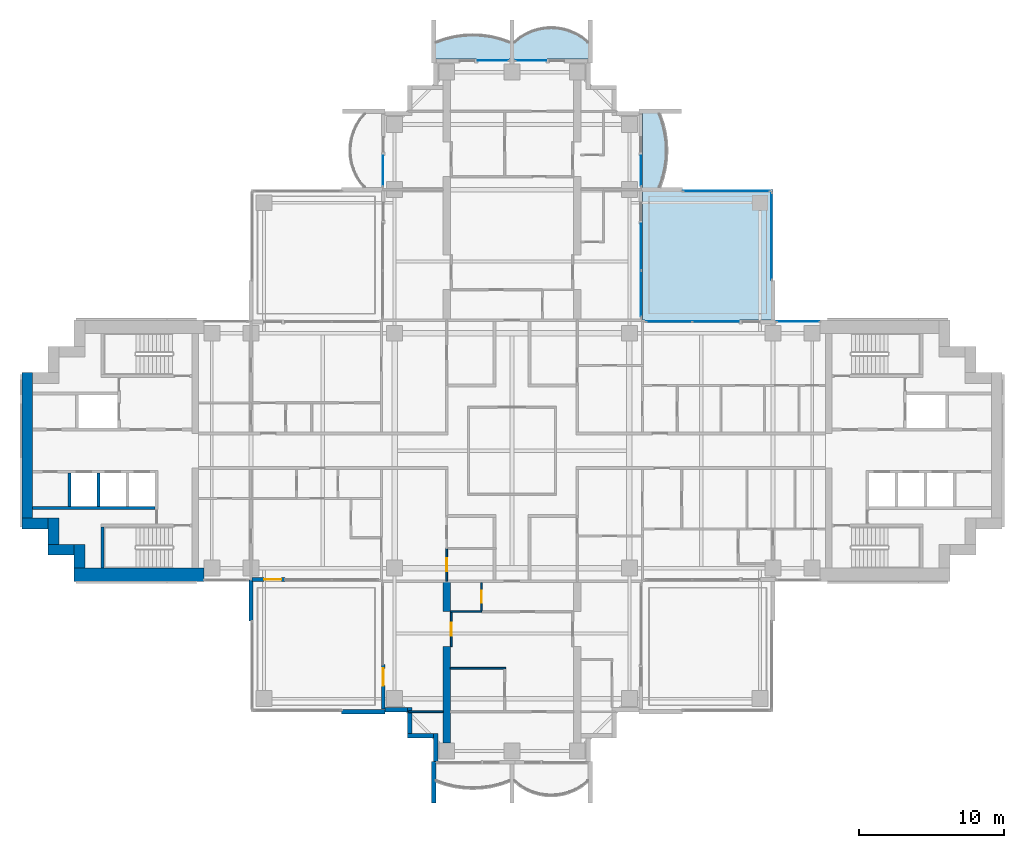
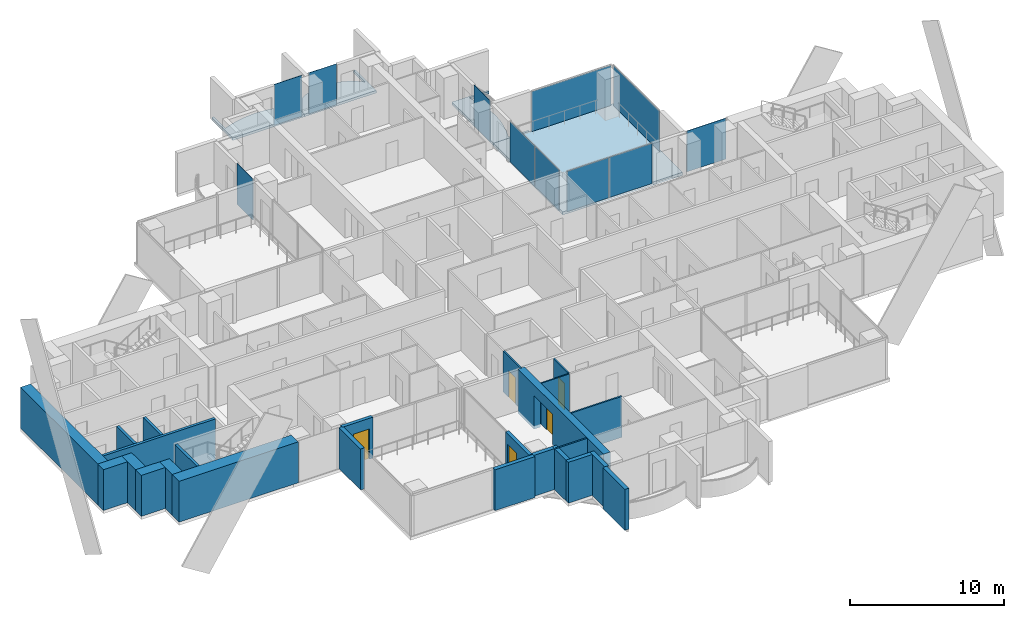
# One storey, part 8 of 19: 26 walls, 11 plates, 5 doors, 4 slabs, 5 openings, 9 elements without a shape of their own.
"""IFC4 building model written with IfcOpenShell, lengths in metres."""

from ifc_helpers import new_model, si_unit, direction, frame, frame_2d, origin, origin_2d, place, context, subcontext, project, spatial, polyline, rectangle, outline, extrude, material, layer, layer_set, material_profile, profile_set, type_object, element, fill, aggregate, save


model = new_model("IFC4")

# Units and contexts
model_context = context("Model", 3, precision=1e-05, world=origin(), true_north=direction((0.0, 1.0)))
body_context = subcontext(model_context, "Body", "Model", "MODEL_VIEW")
ifc_project = project(units=[si_unit("LENGTHUNIT", "METRE"), si_unit("AREAUNIT", "SQUARE_METRE"), si_unit("VOLUMEUNIT", "CUBIC_METRE"), si_unit("PLANEANGLEUNIT", "RADIAN"), si_unit("MASSUNIT", "GRAM", prefix="KILO")], contexts=[model_context])

# Site, building, storey
site_placement = place(None, origin())
site = spatial("IfcSite", under=ifc_project, at=site_placement, CompositionType="ELEMENT")
building_placement = place(site_placement, origin())
building = spatial("IfcBuilding", under=site, at=building_placement, Name="Perihelion Cross Residences", CompositionType="ELEMENT")
storey_placement = place(building_placement, frame((0.0, 0.0, 116.39990234375)))
storey = spatial("IfcBuildingStorey", under=building, at=storey_placement, Name="L27", CompositionType="ELEMENT", Elevation=116.39990234375)

# Slabs
ifc_material_1 = material(Name="Concrete C40/50", Category="concrete")
ifc_layer_1 = layer(ifc_material_1, 0.199951171875)
ifc_layer_set_1 = layer_set([ifc_layer_1], Name="Balcony slab 200")
slab_type_1 = type_object("IfcSlabType", Name="Balcony slab 200", PredefinedType="FLOOR", material=ifc_layer_set_1)
slab_1_placement = place(storey_placement, frame((0.0, 0.0, -0.199951171875)))
element("IfcSlab", 1, at=slab_1_placement, inside=storey, type_object=slab_type_1, Name="Slab BK1 L27 north side east bay 2 balcony", PredefinedType="FLOOR", context=body_context, shape_type="SweptSolid", body=[
    extrude(outline(polyline([(9.0, 18.0), (9.0, 23.39990234375), (11.699951171875, 23.39990234375), (11.699951171875, 23.25), (10.199951171875, 23.25), (10.423583984375, 22.612548828125), (10.57861328125, 21.97509765625), (10.669921875, 21.33740234375), (10.699951171875, 20.699951171875), (10.669921875, 20.0625), (10.57861328125, 19.425048828125), (10.423583984375, 18.78759765625), (10.199951171875, 18.14990234375), (11.699951171875, 18.14990234375), (11.699951171875, 18.0), (9.0, 18.0)])), origin(), (0.0, 0.0, 1.0), 0.199951171875),
])
slab_2_placement = place(storey_placement, frame((0.0, 0.0, -0.199951171875)))
element("IfcSlab", 2, at=slab_2_placement, inside=storey, type_object=slab_type_1, Name="Slab BK1 L27 north tip north bay 1 balcony", PredefinedType="FLOOR", context=body_context, shape_type="SweptSolid", body=[
    extrude(outline(polyline([(5.39990234375, 27.0), (0.0, 27.0), (0.0, 29.699951171875), (0.14990234375, 29.699951171875), (0.14990234375, 28.199951171875), (0.574951171875, 28.5400390625), (1.0, 28.792724609375), (1.425048828125, 28.9765625), (1.85009765625, 29.1025390625), (2.27490234375, 29.17578125), (2.699951171875, 29.199951171875), (3.125, 29.17578125), (3.550048828125, 29.1025390625), (3.97509765625, 28.9765625), (4.39990234375, 28.792724609375), (4.824951171875, 28.5400390625), (5.25, 28.199951171875), (5.25, 29.699951171875), (5.39990234375, 29.699951171875), (5.39990234375, 27.0)])), origin(), (0.0, 0.0, 1.0), 0.199951171875),
])
slab_3_placement = place(storey_placement, frame((0.0, 0.0, -0.199951171875)))
element("IfcSlab", 3, at=slab_3_placement, inside=storey, type_object=slab_type_1, Name="Slab BK1 L27 north tip north bay 2 balcony", PredefinedType="FLOOR", context=body_context, shape_type="SweptSolid", body=[
    extrude(outline(polyline([(0.0, 27.0), (-5.39990234375, 27.0), (-5.39990234375, 29.699951171875), (-5.25, 29.699951171875), (-5.25, 28.199951171875), (-4.612548828125, 28.423583984375), (-3.97509765625, 28.57861328125), (-3.33740234375, 28.669921875), (-2.699951171875, 28.699951171875), (-2.0625, 28.669921875), (-1.425048828125, 28.57861328125), (-0.78759765625, 28.423583984375), (-0.14990234375, 28.199951171875), (-0.14990234375, 29.699951171875), (0.0, 29.699951171875), (0.0, 27.0)])), origin(), (0.0, 0.0, 1.0), 0.199951171875),
])

# Curtain wall, plate
ifc_material_2 = material(Name="Bronze anodised aluminium, tinted glazing", Category="aluminium")
curtain_wall_type_1 = type_object("IfcCurtainWallType", Name="CW1", PredefinedType="NOTDEFINED", material=ifc_material_2)
curtain_wall_1_placement = place(storey_placement, origin())
curtain_wall_1 = element("IfcCurtainWall", 4, at=curtain_wall_1_placement, inside=storey, type_object=curtain_wall_type_1, Name="Curtain wall CW1 L27 east side north bay 1", PredefinedType="NOTDEFINED")
ifc_material_3 = material(Name="Tinted laminated glass", Category="glass")
ifc_layer_2 = layer(ifc_material_3, 0.028076171875)
ifc_layer_set_2 = layer_set([ifc_layer_2], Name="CW1 panel")
plate_type_1 = type_object("IfcPlateType", Name="CW1 panel", PredefinedType="CURTAIN_PANEL", material=ifc_layer_set_2)
plate_1_placement = place(storey_placement, frame((19.72509765625, 8.89990234375, 0.0), z_axis=(0.0, 0.0, 1.0), x_axis=(-1.0, 0.0, 0.0)))
plate_1 = element("IfcPlate", 5, at=plate_1_placement, type_object=plate_type_1, Name="CW1 panel 1", PredefinedType="CURTAIN_PANEL", context=body_context, shape_type="SweptSolid", body=[
    extrude(rectangle(XDim=2.929931640625, YDim=0.028076171875, at=origin_2d()), origin(), (0.0, 0.0, 1.0), 3.25),
])
aggregate(curtain_wall_1, [plate_1])

# Curtain wall, plates
curtain_wall_2_placement = place(storey_placement, origin())
curtain_wall_2 = element("IfcCurtainWall", 6, at=curtain_wall_2_placement, inside=storey, type_object=curtain_wall_type_1, Name="Curtain wall CW1 L27 east side north bay 2", PredefinedType="NOTDEFINED")
plate_2_placement = place(storey_placement, frame((14.052490234375, 8.89990234375, 0.000244140625), z_axis=(0.0, 0.0, 1.0), x_axis=(-1.0, 0.0, 0.0)))
plate_2 = element("IfcPlate", 7, at=plate_2_placement, type_object=plate_type_1, Name="CW1 panel 1", PredefinedType="CURTAIN_PANEL", context=body_context, shape_type="SweptSolid", body=[
    extrude(rectangle(XDim=3.195068359375, YDim=0.028076171875, at=origin_2d()), origin(), (0.0, 0.0, 1.0), 3.18994140625),
])
plate_3_placement = place(storey_placement, frame((10.827392578125, 8.89990234375, 0.000244140625), z_axis=(0.0, 0.0, 1.0), x_axis=(-1.0, 0.0, 0.0)))
plate_3 = element("IfcPlate", 8, at=plate_3_placement, type_object=plate_type_1, Name="CW1 panel 2", PredefinedType="CURTAIN_PANEL", context=body_context, shape_type="SweptSolid", body=[
    extrude(rectangle(XDim=3.135009765625, YDim=0.028076171875, at=origin_2d()), origin(), (0.0, 0.0, 1.0), 3.18994140625),
])
aggregate(curtain_wall_2, [plate_2, plate_3])

curtain_wall_3_placement = place(storey_placement, origin())
curtain_wall_3 = element("IfcCurtainWall", 9, at=curtain_wall_3_placement, inside=storey, type_object=curtain_wall_type_1, Name="Curtain wall CW1 L27 north side east bay 1", PredefinedType="NOTDEFINED")
plate_4_placement = place(storey_placement, frame((8.89990234375, 10.827392578125, 0.000244140625), z_axis=(0.0, 0.0, 1.0), x_axis=(0.0, 1.0, 0.0)))
plate_4 = element("IfcPlate", 10, at=plate_4_placement, type_object=plate_type_1, Name="CW1 panel 1", PredefinedType="CURTAIN_PANEL", context=body_context, shape_type="SweptSolid", body=[
    extrude(rectangle(XDim=3.135009765625, YDim=0.028076171875, at=origin_2d()), origin(), (0.0, 0.0, 1.0), 3.18994140625),
])
plate_5_placement = place(storey_placement, frame((8.89990234375, 14.052490234375, 0.000244140625), z_axis=(0.0, 0.0, 1.0), x_axis=(0.0, 1.0, 0.0)))
plate_5 = element("IfcPlate", 11, at=plate_5_placement, type_object=plate_type_1, Name="CW1 panel 2", PredefinedType="CURTAIN_PANEL", context=body_context, shape_type="SweptSolid", body=[
    extrude(rectangle(XDim=3.195068359375, YDim=0.028076171875, at=origin_2d()), origin(), (0.0, 0.0, 1.0), 3.18994140625),
])
aggregate(curtain_wall_3, [plate_4, plate_5])

# Curtain wall, plate
curtain_wall_4_placement = place(storey_placement, origin())
curtain_wall_4 = element("IfcCurtainWall", 12, at=curtain_wall_4_placement, inside=storey, type_object=curtain_wall_type_1, Name="Curtain wall CW1 L27 north side east bay 2", PredefinedType="NOTDEFINED")
plate_6_placement = place(storey_placement, frame((8.89990234375, 19.304931640625, 0.0), z_axis=(0.0, 0.0, 1.0), x_axis=(0.0, 1.0, 0.0)))
plate_6 = element("IfcPlate", 13, at=plate_6_placement, type_object=plate_type_1, Name="CW1 panel 1", PredefinedType="CURTAIN_PANEL", context=body_context, shape_type="SweptSolid", body=[
    extrude(rectangle(XDim=2.090087890625, YDim=0.028076171875, at=origin_2d()), origin(), (0.0, 0.0, 1.0), 3.25),
])
aggregate(curtain_wall_4, [plate_6])

curtain_wall_5_placement = place(storey_placement, origin())
curtain_wall_5 = element("IfcCurtainWall", 14, at=curtain_wall_5_placement, inside=storey, type_object=curtain_wall_type_1, Name="Curtain wall CW1 L27 north tip north bay 1", PredefinedType="NOTDEFINED")
plate_7_placement = place(storey_placement, frame((1.304931640625, 26.89990234375, 0.0), z_axis=(0.0, 0.0, 1.0), x_axis=(-1.0, 0.0, 0.0)))
plate_7 = element("IfcPlate", 15, at=plate_7_placement, type_object=plate_type_1, Name="CW1 panel 1", PredefinedType="CURTAIN_PANEL", context=body_context, shape_type="SweptSolid", body=[
    extrude(rectangle(XDim=2.090087890625, YDim=0.028076171875, at=origin_2d()), origin(), (0.0, 0.0, 1.0), 3.25),
])
aggregate(curtain_wall_5, [plate_7])

curtain_wall_6_placement = place(storey_placement, origin())
curtain_wall_6 = element("IfcCurtainWall", 16, at=curtain_wall_6_placement, inside=storey, type_object=curtain_wall_type_1, Name="Curtain wall CW1 L27 north tip north bay 2", PredefinedType="NOTDEFINED")
plate_8_placement = place(storey_placement, frame((-1.304931640625, 26.89990234375, 0.0), z_axis=(0.0, 0.0, 1.0), x_axis=(-1.0, 0.0, 0.0)))
plate_8 = element("IfcPlate", 17, at=plate_8_placement, type_object=plate_type_1, Name="CW1 panel 1", PredefinedType="CURTAIN_PANEL", context=body_context, shape_type="SweptSolid", body=[
    extrude(rectangle(XDim=2.090087890625, YDim=0.028076171875, at=origin_2d()), origin(), (0.0, 0.0, 1.0), 3.25),
])
aggregate(curtain_wall_6, [plate_8])

curtain_wall_7_placement = place(storey_placement, origin())
curtain_wall_7 = element("IfcCurtainWall", 18, at=curtain_wall_7_placement, inside=storey, type_object=curtain_wall_type_1, Name="Curtain wall CW1 L27 north side west bay 1", PredefinedType="NOTDEFINED")
plate_9_placement = place(storey_placement, frame((-8.89990234375, 19.304931640625, 0.0), z_axis=(0.0, 0.0, 1.0), x_axis=(0.0, -1.0, 0.0)))
plate_9 = element("IfcPlate", 19, at=plate_9_placement, type_object=plate_type_1, Name="CW1 panel 1", PredefinedType="CURTAIN_PANEL", context=body_context, shape_type="SweptSolid", body=[
    extrude(rectangle(XDim=2.090087890625, YDim=0.028076171875, at=origin_2d()), origin(), (0.0, 0.0, 1.0), 3.25),
])
aggregate(curtain_wall_7, [plate_9])

ifc_material_4 = material(Name="Bronze anodised aluminium, tinted glazing", Category="aluminium")
curtain_wall_type_2 = type_object("IfcCurtainWallType", Name="CW4", PredefinedType="NOTDEFINED", material=ifc_material_4)
curtain_wall_8_placement = place(storey_placement, origin())
curtain_wall_8 = element("IfcCurtainWall", 20, at=curtain_wall_8_placement, inside=storey, type_object=curtain_wall_type_2, Name="Curtain wall CW4 L27 pocket north-east 1 1", PredefinedType="NOTDEFINED")
ifc_material_5 = material(Name="Tinted laminated glass", Category="glass")
ifc_layer_3 = layer(ifc_material_5, 0.030029296875)
ifc_layer_set_3 = layer_set([ifc_layer_3], Name="CW4 panel")
plate_type_2 = type_object("IfcPlateType", Name="CW4 panel", PredefinedType="CURTAIN_PANEL", material=ifc_layer_set_3)
plate_10_placement = place(storey_placement, frame((14.784912109375, 17.89990234375, 0.000244140625), z_axis=(0.0, 0.0, 1.0), x_axis=(1.0, 0.0, 0.0)))
plate_10 = element("IfcPlate", 21, at=plate_10_placement, type_object=plate_type_2, Name="CW4 panel 1", PredefinedType="CURTAIN_PANEL", context=body_context, shape_type="SweptSolid", body=[
    extrude(rectangle(XDim=5.969970703125, YDim=0.030029296875, at=origin_2d()), origin(), (0.0, 0.0, 1.0), 3.18994140625),
])
aggregate(curtain_wall_8, [plate_10])

curtain_wall_9_placement = place(storey_placement, origin())
curtain_wall_9 = element("IfcCurtainWall", 22, at=curtain_wall_9_placement, inside=storey, type_object=curtain_wall_type_2, Name="Curtain wall CW4 L27 pocket north-east 1 2", PredefinedType="NOTDEFINED")
plate_11_placement = place(storey_placement, frame((17.89990234375, 14.784912109375, 0.000244140625), z_axis=(0.0, 0.0, 1.0), x_axis=(0.0, -1.0, 0.0)))
plate_11 = element("IfcPlate", 23, at=plate_11_placement, type_object=plate_type_2, Name="CW4 panel 1", PredefinedType="CURTAIN_PANEL", context=body_context, shape_type="SweptSolid", body=[
    extrude(rectangle(XDim=5.969970703125, YDim=0.030029296875, at=origin_2d()), origin(), (0.0, 0.0, 1.0), 3.18994140625),
])
aggregate(curtain_wall_9, [plate_11])

# Slab
ifc_material_6 = material(Name="Concrete C40/50", Category="concrete")
ifc_layer_4 = layer(ifc_material_6, 0.25)
ifc_layer_set_4 = layer_set([ifc_layer_4], Name="Winter garden slab")
slab_type_2 = type_object("IfcSlabType", Name="Winter garden slab", PredefinedType="FLOOR", material=ifc_layer_set_4)
slab_4_placement = place(storey_placement, frame((0.0, 0.0, -0.25)))
element("IfcSlab", 24, at=slab_4_placement, inside=storey, type_object=slab_type_2, Name="Slab BK3 L27 pocket north-east", PredefinedType="FLOOR", context=body_context, shape_type="SweptSolid", body=[
    extrude(outline(polyline([(18.0, 9.0), (18.0, 18.0), (9.0, 18.0), (9.0, 9.0), (18.0, 9.0)])), origin(), (0.0, 0.0, 1.0), 0.25),
])

# Wall, opening, door
ifc_material_7 = material(Name="Concrete C30/37, bronze-clad", Category="concrete")
ifc_layer_5 = layer(ifc_material_7, 0.25)
ifc_layer_set_5 = layer_set([ifc_layer_5], Name="Bronze-clad pier wall 250")
wall_type_1 = type_object("IfcWallType", Name="Bronze-clad pier wall 250", PredefinedType="SOLIDWALL", material=ifc_layer_set_5)
wall_1_placement = place(storey_placement, frame((-17.93994140625, -8.875, 0.0), z_axis=(0.0, 0.0, 1.0), x_axis=(1.0, 0.0, 0.0)))
wall_1 = element("IfcWall", 25, at=wall_1_placement, inside=storey, type_object=wall_type_1, Name="Wall FW1 L27 west side south bay 2 pier", PredefinedType="SOLIDWALL", context=body_context, shape_type="SweptSolid", body=[
    extrude(rectangle(XDim=2.2900390625, YDim=0.25, at=frame_2d((1.14501953125, 0.0))), origin(), (0.0, 0.0, 1.0), 3.25),
])
opening_1_placement = place(wall_1_placement, frame((0.840087890625, 0.0, 0.0)))
opening_1 = element("IfcOpeningElement", 26, at=opening_1_placement, cuts=wall_1, Name="Opening L27.E09", PredefinedType="OPENING", context=body_context, shape_type="SweptSolid", body=[
    extrude(rectangle(XDim=1.199951171875, YDim=2.39990234375, at=frame_2d((0.60009765625, 1.199951171875))), frame((0.0, 0.135009765625, 0.0), z_axis=(0.0, -1.0, 0.0), x_axis=(1.0, 0.0, 0.0)), (0.0, 0.0, 1.0), 0.27001953125),
])
ifc_material_8 = material(Name="Bronze anodised aluminium, glazed", Category="aluminium")
door_type_1 = type_object("IfcDoorType", Name="Balcony door 1200 x 2400", OperationType="NOTDEFINED", PredefinedType="DOOR", material=ifc_material_8)
door_1_placement = place(opening_1_placement, origin())
door_1 = element("IfcDoor", 27, at=door_1_placement, inside=storey, type_object=door_type_1, Name="Door L27.E09 west side south bay 2", OperationType="SINGLE_SWING_RIGHT", OverallHeight=2.39990234375, OverallWidth=1.199951171875, PredefinedType="DOOR", context=body_context, shape_type="SweptSolid", body=[
    extrude(rectangle(XDim=1.199951171875, YDim=2.39990234375, at=frame_2d((0.60009765625, 1.199951171875))), frame((0.0, 0.02490234375, 0.0), z_axis=(0.0, -1.0, 0.0), x_axis=(1.0, 0.0, 0.0)), (0.0, 0.0, 1.0), 0.050048828125),
])
fill(opening_1, door_1)

wall_2_placement = place(storey_placement, frame((-8.875, -14.75, 0.0), z_axis=(0.0, 0.0, 1.0), x_axis=(0.0, -1.0, 0.0)))
wall_2 = element("IfcWall", 28, at=wall_2_placement, inside=storey, type_object=wall_type_1, Name="Wall FW1 L27 south side west bay 1 pier", PredefinedType="SOLIDWALL", context=body_context, shape_type="SweptSolid", body=[
    extrude(rectangle(XDim=3.050048828125, YDim=0.25, at=frame_2d((1.52490234375, 0.0))), origin(), (0.0, 0.0, 1.0), 3.25),
])
opening_2_placement = place(wall_2_placement, frame((0.25, 0.0, 0.0)))
opening_2 = element("IfcOpeningElement", 29, at=opening_2_placement, cuts=wall_2, Name="Opening L27.E10", PredefinedType="OPENING", context=body_context, shape_type="SweptSolid", body=[
    extrude(rectangle(XDim=1.199951171875, YDim=2.39990234375, at=frame_2d((0.60009765625, 1.199951171875))), frame((0.0, 0.135009765625, 0.0), z_axis=(0.0, -1.0, 0.0), x_axis=(1.0, 0.0, 0.0)), (0.0, 0.0, 1.0), 0.27001953125),
])
door_2_placement = place(opening_2_placement, origin())
door_2 = element("IfcDoor", 30, at=door_2_placement, inside=storey, type_object=door_type_1, Name="Door L27.E10 south side west bay 1", OperationType="SINGLE_SWING_LEFT", OverallHeight=2.39990234375, OverallWidth=1.199951171875, PredefinedType="DOOR", context=body_context, shape_type="SweptSolid", body=[
    extrude(rectangle(XDim=1.199951171875, YDim=2.39990234375, at=frame_2d((0.60009765625, 1.199951171875))), frame((0.0, 0.02490234375, 0.0), z_axis=(0.0, -1.0, 0.0), x_axis=(1.0, 0.0, 0.0)), (0.0, 0.0, 1.0), 0.050048828125),
])
fill(opening_2, door_2)

# Walls
ifc_material_9 = material(Name="Concrete C30/37, bronze-clad", Category="concrete")
ifc_layer_6 = layer(ifc_material_9, 0.300048828125)
ifc_layer_set_6 = layer_set([ifc_layer_6], Name="Bronze-clad serration wall 300")
wall_type_2 = type_object("IfcWallType", Name="Bronze-clad serration wall 300", PredefinedType="SOLIDWALL", material=ifc_layer_set_6)
wall_3_placement = place(storey_placement, frame((-8.75, -17.85009765625, 0.0), z_axis=(0.0, 0.0, 1.0), x_axis=(1.0, 0.0, 0.0)))
element("IfcWall", 31, at=wall_3_placement, inside=storey, type_object=wall_type_2, Name="Wall SR1 L27 south corner south-west 1", PredefinedType="SOLIDWALL", context=body_context, shape_type="SweptSolid", body=[
    extrude(rectangle(XDim=1.550048828125, YDim=0.300048828125, at=frame_2d((0.77490234375, 0.0))), origin(), (0.0, 0.0, 1.0), 3.25),
])
for number, where, z_axis, x_axis, name in (
    (32, (-7.050048828125, -17.699951171875, 0.0), (0.0, 0.0, 1.0), (0.0, -1.0, 0.0), "Wall SR1 L27 south corner south-west 2"),
    (33, (-7.199951171875, -19.64990234375, 0.0), (0.0, 0.0, 1.0), (1.0, 0.0, 0.0), "Wall SR1 L27 south corner south-west 3"),
):
    element("IfcWall", number, at=place(storey_placement, frame(where, z_axis=z_axis, x_axis=x_axis)), inside=storey, type_object=wall_type_2, Name=name, PredefinedType="SOLIDWALL", context=body_context, shape_type="SweptSolid", body=[
        extrude(rectangle(XDim=1.800048828125, YDim=0.300048828125, at=frame_2d((0.89990234375, 0.0))), origin(), (0.0, 0.0, 1.0), 3.25),
    ])
wall_4_placement = place(storey_placement, frame((-5.25, -19.5, 0.0), z_axis=(0.0, 0.0, 1.0), x_axis=(0.0, -1.0, 0.0)))
element("IfcWall", 34, at=wall_4_placement, inside=storey, type_object=wall_type_2, Name="Wall SR1 L27 south corner south-west 4", PredefinedType="SOLIDWALL", context=body_context, shape_type="SweptSolid", body=[
    extrude(rectangle(XDim=1.919921875, YDim=0.300048828125, at=frame_2d((0.9599609375, 0.0))), origin(), (0.0, 0.0, 1.0), 3.25),
])
ifc_material_10 = material(Name="Concrete C60/75", Category="concrete")
ifc_layer_7 = layer(ifc_material_10, 0.75)
ifc_layer_set_7 = layer_set([ifc_layer_7], Name="Core wall, outer 750")
wall_type_3 = type_object("IfcWallType", Name="Core wall, outer 750", PredefinedType="SHEAR", material=ifc_layer_set_7)
wall_5_placement = place(storey_placement, frame((-29.824951171875, -8.10009765625, 0.0), z_axis=(0.0, 0.0, 1.0), x_axis=(0.0, 1.0, 0.0)))
element("IfcWall", 35, at=wall_5_placement, inside=storey, type_object=wall_type_3, Name="West core core wall, outer", PredefinedType="SHEAR", context=body_context, shape_type="SweptSolid", body=[
    extrude(rectangle(XDim=1.650146484375, YDim=0.75, at=frame_2d((0.8251953125, 0.0))), origin(), (0.0, 0.0, 1.0), 3.25),
])
for number, where, z_axis, x_axis, name in (
    (36, (-32.0, -6.824951171875, 0.0), (0.0, 0.0, 1.0), (1.0, 0.0, 0.0), "West core core wall, outer"),
    (37, (-31.625, -6.449951171875, 0.0), (0.0, 0.0, 1.0), (0.0, 1.0, 0.0), "West core core wall, outer"),
    (38, (-33.800048828125, -5.02490234375, 0.0), (0.0, 0.0, 1.0), (1.0, 0.0, 0.0), "West core core wall, outer"),
):
    element("IfcWall", number, at=place(storey_placement, frame(where, z_axis=z_axis, x_axis=x_axis)), inside=storey, type_object=wall_type_3, Name=name, PredefinedType="SHEAR", context=body_context, shape_type="SweptSolid", body=[
        extrude(rectangle(XDim=1.800048828125, YDim=0.75, at=frame_2d((0.89990234375, 0.0))), origin(), (0.0, 0.0, 1.0), 3.25),
    ])
wall_6_placement = place(storey_placement, frame((-33.425048828125, -4.64990234375, 0.0), z_axis=(0.0, 0.0, 1.0), x_axis=(0.0, 1.0, 0.0)))
element("IfcWall", 39, at=wall_6_placement, inside=storey, type_object=wall_type_3, Name="West core core wall, outer", PredefinedType="SHEAR", context=body_context, shape_type="SweptSolid", body=[
    extrude(rectangle(XDim=10.0498046875, YDim=0.75, at=frame_2d((5.02490234375, 0.0))), origin(), (0.0, 0.0, 1.0), 3.25),
])
ifc_material_11 = material(Name="Concrete C60/75", Category="concrete")
ifc_layer_8 = layer(ifc_material_11, 0.89990234375)
ifc_layer_set_8 = layer_set([ifc_layer_8], Name="Core wall, outer 900")
wall_type_4 = type_object("IfcWallType", Name="Core wall, outer 900", PredefinedType="SHEAR", material=ifc_layer_set_8)
wall_7_placement = place(storey_placement, frame((-30.199951171875, -8.550048828125, 0.0), z_axis=(0.0, 0.0, 1.0), x_axis=(1.0, 0.0, 0.0)))
element("IfcWall", 40, at=wall_7_placement, inside=storey, type_object=wall_type_4, Name="West core core wall, outer", PredefinedType="SHEAR", context=body_context, shape_type="SweptSolid", body=[
    extrude(rectangle(XDim=8.949951171875, YDim=0.89990234375, at=frame_2d((4.47509765625, 0.0))), origin(), (0.0, 0.0, 1.0), 3.25),
])

# Wall, opening, door
ifc_material_12 = material(Name="Plasterboard partition")
ifc_layer_9 = layer(ifc_material_12, 0.1201171875)
ifc_layer_set_9 = layer_set([ifc_layer_9], Name="Infill panel 120")
wall_type_5 = type_object("IfcWallType", Name="Infill panel 120", PredefinedType="PARTITIONING", material=ifc_layer_set_9)
wall_8_placement = place(storey_placement, frame((-4.18994140625, -11.10009765625, 0.0), z_axis=(0.0, 0.0, 1.0), x_axis=(0.0, -1.0, 0.0)))
wall_8 = element("IfcWall", 41, at=wall_8_placement, inside=storey, type_object=wall_type_5, Name="Partition L27 WI06", PredefinedType="PARTITIONING", context=body_context, shape_type="SweptSolid", body=[
    extrude(rectangle(XDim=2.39990234375, YDim=0.1201171875, at=frame_2d((1.199951171875, 0.0))), origin(), (0.0, 0.0, 1.0), 2.400146484375),
])
opening_3_placement = place(wall_8_placement, frame((0.75, 0.0, 0.0)))
opening_3 = element("IfcOpeningElement", 42, at=opening_3_placement, cuts=wall_8, Name="Opening L27.A58", PredefinedType="OPENING", context=body_context, shape_type="SweptSolid", body=[
    extrude(rectangle(XDim=0.89990234375, YDim=2.10009765625, at=frame_2d((0.449951171875, 1.050048828125))), frame((0.0, 0.070068359375, 0.0), z_axis=(0.0, -1.0, 0.0), x_axis=(1.0, 0.0, 0.0)), (0.0, 0.0, 1.0), 0.14013671875),
])
ifc_material_13 = material(Name="Timber door leaf", Category="wood")
door_type_2 = type_object("IfcDoorType", Name="Interior room door 900 x 2100", OperationType="SINGLE_SWING_LEFT", PredefinedType="DOOR", material=ifc_material_13)
door_3_placement = place(opening_3_placement, origin())
door_3 = element("IfcDoor", 43, at=door_3_placement, inside=storey, type_object=door_type_2, Name="Door L27.A58", OperationType="SINGLE_SWING_RIGHT", OverallHeight=2.10009765625, OverallWidth=0.89990234375, PredefinedType="DOOR", context=body_context, shape_type="SweptSolid", body=[
    extrude(rectangle(XDim=0.89990234375, YDim=2.10009765625, at=frame_2d((0.449951171875, 1.050048828125))), frame((0.0, 0.02490234375, 0.0), z_axis=(0.0, -1.0, 0.0), x_axis=(1.0, 0.0, 0.0)), (0.0, 0.0, 1.0), 0.050048828125),
])
fill(opening_3, door_3)

ifc_material_14 = material(Name="Plasterboard partition")
ifc_layer_10 = layer(ifc_material_14, 0.1201171875)
ifc_layer_set_10 = layer_set([ifc_layer_10], Name="Partition wall 120")
wall_type_6 = type_object("IfcWallType", Name="Partition wall 120", PredefinedType="PARTITIONING", material=ifc_layer_set_10)
wall_9_placement = place(storey_placement, frame((-4.5, -6.75, 0.0), z_axis=(0.0, 0.0, 1.0), x_axis=(0.0, -1.0, 0.0)))
wall_9 = element("IfcWall", 44, at=wall_9_placement, inside=storey, type_object=wall_type_6, Name="Partition L27 W064", PredefinedType="PARTITIONING", context=body_context, shape_type="SweptSolid", body=[
    extrude(rectangle(XDim=2.25, YDim=0.1201171875, at=frame_2d((1.125, 0.0))), origin(), (0.0, 0.0, 1.0), 3.25),
])
opening_4_placement = place(wall_9_placement, frame((0.675048828125, 0.0, 0.0)))
opening_4 = element("IfcOpeningElement", 45, at=opening_4_placement, cuts=wall_9, Name="Opening L27.A31", PredefinedType="OPENING", context=body_context, shape_type="SweptSolid", body=[
    extrude(rectangle(XDim=0.89990234375, YDim=2.10009765625, at=frame_2d((0.449951171875, 1.050048828125))), frame((0.0, 0.070068359375, 0.0), z_axis=(0.0, -1.0, 0.0), x_axis=(1.0, 0.0, 0.0)), (0.0, 0.0, 1.0), 0.14013671875),
])
door_4_placement = place(opening_4_placement, origin())
door_4 = element("IfcDoor", 46, at=door_4_placement, inside=storey, type_object=door_type_2, Name="Door L27.A31", OperationType="SINGLE_SWING_LEFT", OverallHeight=2.10009765625, OverallWidth=0.89990234375, PredefinedType="DOOR", context=body_context, shape_type="SweptSolid", body=[
    extrude(rectangle(XDim=0.89990234375, YDim=2.10009765625, at=frame_2d((0.449951171875, 1.050048828125))), frame((0.0, 0.02490234375, 0.0), z_axis=(0.0, -1.0, 0.0), x_axis=(1.0, 0.0, 0.0)), (0.0, 0.0, 1.0), 0.050048828125),
])
fill(opening_4, door_4)

# Walls
wall_10_placement = place(storey_placement, frame((-0.43994140625, -15.0, 0.0), z_axis=(0.0, 0.0, 1.0), x_axis=(-1.0, 0.0, 0.0)))
element("IfcWall", 47, at=wall_10_placement, inside=storey, type_object=wall_type_6, Name="Partition L27 W086", PredefinedType="PARTITIONING", context=body_context, shape_type="SweptSolid", body=[
    extrude(rectangle(XDim=3.81005859375, YDim=0.1201171875, at=frame_2d((1.905029296875, 0.0))), origin(), (0.0, 0.0, 1.0), 3.25),
])
wall_11_placement = place(storey_placement, frame((-4.75, -18.0, 0.0), z_axis=(0.0, 0.0, 1.0), x_axis=(-1.0, 0.0, 0.0)))
element("IfcWall", 48, at=wall_11_placement, inside=storey, type_object=wall_type_6, Name="Partition L27 W091", PredefinedType="PARTITIONING", context=body_context, shape_type="SweptSolid", body=[
    extrude(rectangle(XDim=2.3701171875, YDim=0.1201171875, at=frame_2d((1.18505859375, 0.0))), origin(), (0.0, 0.0, 1.0), 3.25),
])
ifc_material_15 = material(Name="Precast concrete C50/60", Category="concrete")
ifc_layer_11 = layer(ifc_material_15, 0.300048828125)
ifc_layer_set_11 = layer_set([ifc_layer_11], Name="Precast concrete C50/60 blade wall 300")
wall_type_7 = type_object("IfcWallType", Name="Precast concrete C50/60 blade wall 300", PredefinedType="SOLIDWALL", material=ifc_layer_set_11)
wall_12_placement = place(storey_placement, frame((-18.0, -8.919921875, 0.0), z_axis=(0.0, 0.0, 1.0), x_axis=(0.0, -1.0, 0.0)))
element("IfcWall", 49, at=wall_12_placement, inside=storey, type_object=wall_type_7, Name="Wall BL1 L27 no. 1", PredefinedType="SOLIDWALL", context=body_context, shape_type="SweptSolid", body=[
    extrude(rectangle(XDim=2.820068359375, YDim=0.300048828125, at=frame_2d((1.41015625, 0.0))), origin(), (0.0, 0.0, 1.0), 3.25),
])
wall_13_placement = place(storey_placement, frame((-8.75, -18.0, 0.0), z_axis=(0.0, 0.0, 1.0), x_axis=(-1.0, 0.0, 0.0)))
element("IfcWall", 50, at=wall_13_placement, inside=storey, type_object=wall_type_7, Name="Wall BL1 L27 no. 5", PredefinedType="SOLIDWALL", context=body_context, shape_type="SweptSolid", body=[
    extrude(rectangle(XDim=2.989990234375, YDim=0.300048828125, at=frame_2d((1.4951171875, 0.0))), origin(), (0.0, 0.0, 1.0), 3.25),
])
wall_14_placement = place(storey_placement, frame((-5.39990234375, -21.419921875, 0.0), z_axis=(0.0, 0.0, 1.0), x_axis=(0.0, -1.0, 0.0)))
element("IfcWall", 51, at=wall_14_placement, inside=storey, type_object=wall_type_7, Name="Wall BL1 L27 no. 3", PredefinedType="SOLIDWALL", context=body_context, shape_type="SweptSolid", body=[
    extrude(rectangle(XDim=2.880126953125, YDim=0.300048828125, at=frame_2d((1.43994140625, 0.0))), origin(), (0.0, 0.0, 1.0), 3.25),
])
ifc_material_16 = material(Name="Concrete C50/60", Category="concrete")
ifc_layer_12 = layer(ifc_material_16, 0.199951171875)
ifc_layer_set_12 = layer_set([ifc_layer_12], Name="Shaft wall 200")
wall_type_8 = type_object("IfcWallType", Name="Shaft wall 200", PredefinedType="SOLIDWALL", material=ifc_layer_set_12)
wall_15_placement = place(storey_placement, frame((-33.050048828125, -3.949951171875, 0.0), z_axis=(0.0, 0.0, 1.0), x_axis=(1.0, 0.0, 0.0)))
element("IfcWall", 52, at=wall_15_placement, inside=storey, type_object=wall_type_8, Name="West core shaft wall", PredefinedType="SOLIDWALL", context=body_context, shape_type="SweptSolid", body=[
    extrude(rectangle(XDim=8.449951171875, YDim=0.199951171875, at=frame_2d((4.22509765625, 0.0))), origin(), (0.0, 0.0, 1.0), 3.25),
])
for number, where, z_axis, x_axis, name in (
    (53, (-28.5, -3.85009765625, 0.0), (0.0, 0.0, 1.0), (0.0, 1.0, 0.0), "West core shaft wall"),
    (54, (-30.5, -3.85009765625, 0.0), (0.0, 0.0, 1.0), (0.0, 1.0, 0.0), "West core shaft wall"),
):
    element("IfcWall", number, at=place(storey_placement, frame(where, z_axis=z_axis, x_axis=x_axis)), inside=storey, type_object=wall_type_8, Name=name, PredefinedType="SOLIDWALL", context=body_context, shape_type="SweptSolid", body=[
        extrude(rectangle(XDim=2.300048828125, YDim=0.199951171875, at=frame_2d((1.14990234375, 0.0))), origin(), (0.0, 0.0, 1.0), 3.25),
    ])
ifc_material_17 = material(Name="Concrete C50/60", Category="concrete")
ifc_layer_13 = layer(ifc_material_17, 0.199951171875)
ifc_layer_set_13 = layer_set([ifc_layer_13], Name="Stair wall 200")
wall_type_9 = type_object("IfcWallType", Name="Stair wall 200", PredefinedType="SOLIDWALL", material=ifc_layer_set_13)
wall_16_placement = place(storey_placement, frame((-28.25, -8.10009765625, 0.0), z_axis=(0.0, 0.0, 1.0), x_axis=(0.0, 1.0, 0.0)))
element("IfcWall", 55, at=wall_16_placement, inside=storey, type_object=wall_type_9, Name="West core stair wall", PredefinedType="SOLIDWALL", context=body_context, shape_type="SweptSolid", body=[
    extrude(rectangle(XDim=2.85009765625, YDim=0.199951171875, at=frame_2d((1.425048828125, 0.0))), origin(), (0.0, 0.0, 1.0), 3.25),
])
ifc_material_18 = material(Name="Concrete C60/75", Category="concrete")
ifc_material_profile = material_profile(ifc_material_18, outline(polyline([(0.0, 0.0), (6.64990234375, 0.0), (6.64990234375, 2.64990234375), (9.050048828125, 2.64990234375), (9.050048828125, 0.0), (11.14990234375, 0.0), (11.14990234375, 3.5), (0.0, 3.5), (0.0, 0.0)])), Name="Tip spine wall")
ifc_profile_set = profile_set([ifc_material_profile], Name="Concrete C60/75")
wall_type_10 = type_object("IfcWallType", Name="Tip spine wall 500 with 1 door openings 11150 long 3500 high concrete C60/75", PredefinedType="SHEAR", material=ifc_profile_set)
wall_17_placement = place(storey_placement, frame((-4.75, -20.14990234375, -0.25), z_axis=(1.0, 0.0, 0.0), x_axis=(0.0, 1.0, 0.0)))
element("IfcWall", 56, at=wall_17_placement, inside=storey, type_object=wall_type_10, Name="Shear wall SW33 L27 south west", PredefinedType="SHEAR", context=body_context, shape_type="SweptSolid", body=[
    extrude(outline(polyline([(0.0, 0.0), (6.64990234375, 0.0), (6.64990234375, 2.64990234375), (9.050048828125, 2.64990234375), (9.050048828125, 0.0), (11.14990234375, 0.0), (11.14990234375, 3.5), (0.0, 3.5), (0.0, 0.0)])), origin(), (0.0, 0.0, 1.0), 0.5),
])

# Wall, opening, door
ifc_material_19 = material(Name="Plasterboard partition")
ifc_layer_14 = layer(ifc_material_19, 0.10009765625)
ifc_layer_set_14 = layer_set([ifc_layer_14], Name="Wet room wall 100")
wall_type_11 = type_object("IfcWallType", Name="Wet room wall 100", PredefinedType="PARTITIONING", material=ifc_layer_set_14)
wall_18_placement = place(storey_placement, frame((-2.10009765625, -11.0400390625, 0.0), z_axis=(0.0, 0.0, 1.0), x_axis=(0.0, 1.0, 0.0)))
wall_18 = element("IfcWall", 57, at=wall_18_placement, inside=storey, type_object=wall_type_11, Name="Partition L27 W082", PredefinedType="PARTITIONING", context=body_context, shape_type="SweptSolid", body=[
    extrude(rectangle(XDim=1.93994140625, YDim=0.10009765625, at=frame_2d((0.969970703125, 0.0))), origin(), (0.0, 0.0, 1.0), 3.25),
])
opening_5_placement = place(wall_18_placement, frame((0.544921875, 0.0, 0.0)))
opening_5 = element("IfcOpeningElement", 58, at=opening_5_placement, cuts=wall_18, Name="Opening L27.A44", PredefinedType="OPENING", context=body_context, shape_type="SweptSolid", body=[
    extrude(rectangle(XDim=0.85009765625, YDim=2.10009765625, at=frame_2d((0.425048828125, 1.050048828125))), frame((0.0, 0.06005859375, 0.0), z_axis=(0.0, -1.0, 0.0), x_axis=(1.0, 0.0, 0.0)), (0.0, 0.0, 1.0), 0.1201171875),
])
ifc_material_20 = material(Name="Timber door leaf", Category="wood")
door_type_3 = type_object("IfcDoorType", Name="Interior bathroom door 850 x 2100", OperationType="SINGLE_SWING_LEFT", PredefinedType="DOOR", material=ifc_material_20)
door_5_placement = place(opening_5_placement, origin())
door_5 = element("IfcDoor", 59, at=door_5_placement, inside=storey, type_object=door_type_3, Name="Door L27.A44", OperationType="SINGLE_SWING_RIGHT", OverallHeight=2.10009765625, OverallWidth=0.85009765625, PredefinedType="DOOR", context=body_context, shape_type="SweptSolid", body=[
    extrude(rectangle(XDim=0.85009765625, YDim=2.10009765625, at=frame_2d((0.425048828125, 1.050048828125))), frame((0.0, 0.02490234375, 0.0), z_axis=(0.0, -1.0, 0.0), x_axis=(1.0, 0.0, 0.0)), (0.0, 0.0, 1.0), 0.050048828125),
])
fill(opening_5, door_5)

# Wall
wall_19_placement = place(storey_placement, frame((-2.10009765625, -11.10009765625, 0.0), z_axis=(0.0, 0.0, 1.0), x_axis=(-1.0, 0.0, 0.0)))
element("IfcWall", 60, at=wall_19_placement, inside=storey, type_object=wall_type_11, Name="Partition L27 W084", PredefinedType="PARTITIONING", context=body_context, shape_type="SweptSolid", body=[
    extrude(rectangle(XDim=2.14990234375, YDim=0.10009765625, at=frame_2d((1.074951171875, 0.0))), origin(), (0.0, 0.0, 1.0), 3.25),
])

save(model, "model.ifc")
